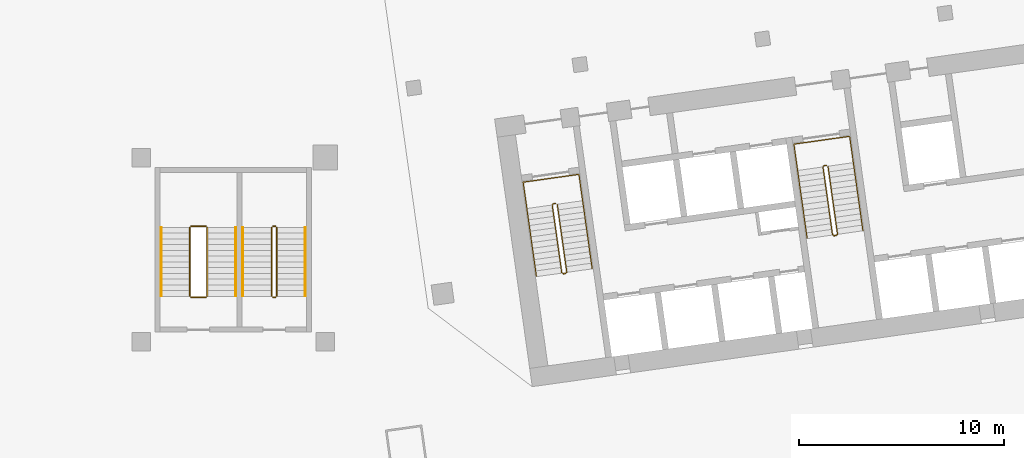
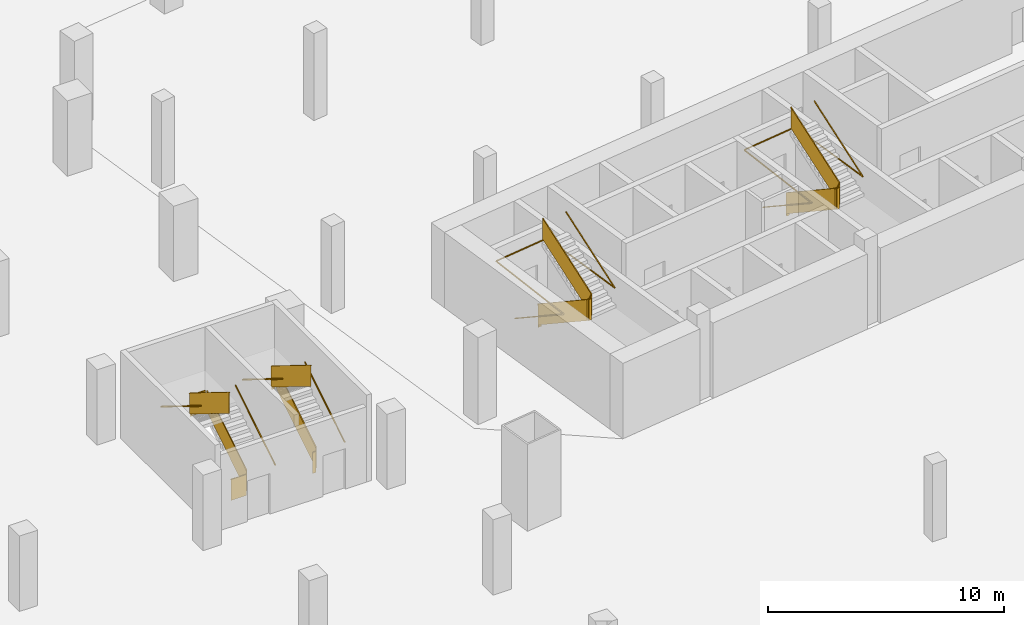
# One storey, part 16 of 17: 16 railings.
"""IFC4 building model written with IfcOpenShell, lengths in metres."""

import ifcopenshell
import ifcopenshell.guid

model = None  # the IFC model being written
_history = None  # IfcOwnerHistory: only IFC2X3 demands one
_inside = {}  # id of a spatial element -> (the spatial element, [elements in it])
_under = {}  # id of a project, library or spatial element -> (it, [spatial elements below it])
_declared = {}  # id of a project -> (the project, [libraries it declares])
_typed = {}  # id of a type object -> (the type object, [elements of that type])
_made_of = {}  # id of a material, layer set ... -> (it, [elements and type objects made of it])


def new_model(schema):
    """Start an empty IFC model of exactly this schema.

    Asked for "IFC4X3", IfcOpenShell would pick the latest addendum, in which some entities
    have other attributes; the version numbers below select the first issue.
    IFC2X3 requires an IfcOwnerHistory on every rooted entity: one is made here for all.
    """
    global model, _history
    if schema == "IFC4X3":
        model = ifcopenshell.file(schema_version=(4, 3, 0, 0))
    else:
        model = ifcopenshell.file(schema=schema)
    _inside.clear()
    _under.clear()
    _declared.clear()
    _typed.clear()
    _made_of.clear()
    _history = None
    if model.schema == "IFC2X3":
        org = make("IfcOrganization", Name="unknown")
        user = make(
            "IfcPersonAndOrganization",
            ThePerson=make("IfcPerson", FamilyName="unknown"),
            TheOrganization=org,
        )
        app = make(
            "IfcApplication",
            ApplicationDeveloper=org,
            Version="unknown",
            ApplicationFullName="unknown",
            ApplicationIdentifier="unknown",
        )
        _history = make(
            "IfcOwnerHistory",
            OwningUser=user,
            OwningApplication=app,
            ChangeAction="ADDED",
            CreationDate=0,
        )
    return model


def make(cls, **values):
    """One entity of the class cls with the attributes given. An attribute that is None is left unset."""
    return model.create_entity(
        cls, **{name: value for name, value in values.items() if value is not None}
    )


def rooted(cls, **values):
    """An entity with a GlobalId (a new one), such as an element, a storey or a relation."""
    return make(cls, GlobalId=ifcopenshell.guid.new(), OwnerHistory=_history, **values)


def si_unit(unit_type, name, prefix=None):
    """IfcSIUnit, for example si_unit("LENGTHUNIT", "METRE", prefix="MILLI")."""
    return make("IfcSIUnit", UnitType=unit_type, Prefix=prefix, Name=name)


def assignment(units):
    """IfcUnitAssignment: the units of a project."""
    return None if units is None else make("IfcUnitAssignment", Units=units)


def point(xyz):
    """IfcCartesianPoint."""
    return None if xyz is None else make("IfcCartesianPoint", Coordinates=xyz)


def direction(xyz):
    """IfcDirection."""
    return None if xyz is None else make("IfcDirection", DirectionRatios=xyz)


def frame(location, z_axis=None, x_axis=None):
    """IfcAxis2Placement3D, a coordinate frame: its origin and axes. An axis left out is left unset."""
    return make(
        "IfcAxis2Placement3D",
        Location=point(location),
        Axis=direction(z_axis),
        RefDirection=direction(x_axis),
    )


def frame_2d(location, x_axis=None):
    """IfcAxis2Placement2D, a coordinate frame in the plane: its origin and x axis."""
    return make(
        "IfcAxis2Placement2D", Location=point(location), RefDirection=direction(x_axis)
    )


def origin():
    """The frame at (0, 0, 0) with its axes left unset."""
    return frame((0.0, 0.0, 0.0))


def origin_2d():
    """The frame at (0, 0) in the plane with its x axis left unset."""
    return frame_2d((0.0, 0.0))


def place(relative_to, where):
    """IfcLocalPlacement: puts the frame where relative to a parent placement (None: the world)."""
    return make(
        "IfcLocalPlacement", PlacementRelTo=relative_to, RelativePlacement=where
    )


def context(
    kind, dimensions, precision=None, world=None, true_north=None, identifier=None
):
    """IfcGeometricRepresentationContext, for example the 3D "Model" context."""
    return make(
        "IfcGeometricRepresentationContext",
        ContextIdentifier=identifier,
        ContextType=kind,
        CoordinateSpaceDimension=dimensions,
        Precision=precision,
        WorldCoordinateSystem=world,
        TrueNorth=true_north,
    )


def subcontext(parent, identifier, kind, view, scale=None):
    """IfcGeometricRepresentationSubContext, for example "Body" below "Model"."""
    return make(
        "IfcGeometricRepresentationSubContext",
        ContextIdentifier=identifier,
        ContextType=kind,
        ParentContext=parent,
        TargetScale=scale,
        TargetView=view,
    )


def project(units=None, contexts=None):
    """IfcProject with its units and contexts."""
    return rooted(
        "IfcProject",
        Name="project",
        RepresentationContexts=contexts,
        UnitsInContext=assignment(units),
    )


def spatial(cls, under=None, at=None, **own):
    """A site, building, storey or space (cls), placed at a placement, below another one or the project."""
    s = rooted(cls, ObjectPlacement=at, **own)
    if under is not None:
        _under.setdefault(under.id(), (under, []))[1].append(s)
    return s


def profile(cls, at=None, kind="AREA", **sizes):
    """A parametric profile (cls). Its sizes go by their IFC names, for example OverallWidth=200.0."""
    return make(cls, ProfileType=kind, Position=at, **sizes)


def rectangle(**sizes):
    """IfcRectangleProfileDef."""
    return profile("IfcRectangleProfileDef", **sizes)


def extrude(swept, where, along, depth):
    """IfcExtrudedAreaSolid: the profile swept, set in the frame where, extruded along a direction by depth."""
    return make(
        "IfcExtrudedAreaSolid",
        SweptArea=swept,
        Position=where,
        ExtrudedDirection=direction(along),
        Depth=depth,
    )


def shape(context_of_items, identifier, shape_type, items):
    """IfcShapeRepresentation: the items that make up one representation, for example the "Body"."""
    return make(
        "IfcShapeRepresentation",
        ContextOfItems=context_of_items,
        RepresentationIdentifier=identifier,
        RepresentationType=shape_type,
        Items=items,
    )


def material(Name=None, Category=None):
    """IfcMaterial."""
    return make("IfcMaterial", Name=Name, Category=Category)


def made_of(thing, what):
    """Note that an element or type object is made of a material, layer set ...; save() writes the relation."""
    if what is not None:
        _made_of.setdefault(what.id(), (what, []))[1].append(thing)
    return thing


def type_object(cls, material=None, **own):
    """A type object (cls), such as IfcWallType, which elements share."""
    return made_of(rooted(cls, **own), material)


def element(
    cls,
    number,
    at=None,
    inside=None,
    cuts=None,
    type_object=None,
    material=None,
    context=None,
    identifier="Body",
    shape_type=None,
    held_by="IfcProductDefinitionShape",
    body=None,
    shapes=None,
    **own,
):
    """One element of the class cls, such as IfcWall. Its Tag is "e" and its number.

    at: its placement. inside: the storey or other place that contains it. cuts: it is an
    opening in that element (IfcRelVoidsElement). A single representation is given by context,
    identifier, shape_type and body (its items); several are given by shapes. held_by: the class
    of the entity that holds the representations. save() writes the other relations.
    """
    e = rooted(cls, Tag="e%d" % number, ObjectPlacement=at, **own)
    if body is not None:
        shapes = [shape(context, identifier, shape_type, body)]
    if shapes is not None:
        e.Representation = make(held_by, Representations=shapes)
    if inside is not None:
        _inside.setdefault(inside.id(), (inside, []))[1].append(e)
    if cuts is not None:
        rooted(
            "IfcRelVoidsElement", RelatingBuildingElement=cuts, RelatedOpeningElement=e
        )
    if type_object is not None:
        _typed.setdefault(type_object.id(), (type_object, []))[1].append(e)
    return made_of(e, material)


def aggregate(whole, parts):
    """IfcRelAggregates: a whole, such as a stair, and the parts it consists of."""
    return rooted("IfcRelAggregates", RelatingObject=whole, RelatedObjects=parts)


def save(model, path):
    """Write the relations noted so far, then the file.

    IfcRelAggregates (storeys below a building ...), IfcRelContainedInSpatialStructure (elements
    in a storey), IfcRelDefinesByType, IfcRelAssociatesMaterial and IfcRelDeclares: one each for
    every whole, place, type object, material and project.
    """
    for whole, parts in _under.values():
        aggregate(whole, parts)
    for where, things in _inside.values():
        rooted(
            "IfcRelContainedInSpatialStructure",
            RelatedElements=things,
            RelatingStructure=where,
        )
    for kind, things in _typed.values():
        rooted("IfcRelDefinesByType", RelatedObjects=things, RelatingType=kind)
    for what, things in _made_of.values():
        rooted("IfcRelAssociatesMaterial", RelatedObjects=things, RelatingMaterial=what)
    for by, libraries in _declared.values():
        rooted("IfcRelDeclares", RelatingContext=by, RelatedDefinitions=libraries)
    model.write(path)


model = new_model("IFC4")

# Units and contexts
model_context = context("Model", 3, precision=1e-05, world=origin(), true_north=direction((0.0, 1.0)))
body_context = subcontext(model_context, "Body", "Model", "MODEL_VIEW")
ifc_project = project(units=[si_unit("LENGTHUNIT", "METRE"), si_unit("AREAUNIT", "SQUARE_METRE"), si_unit("VOLUMEUNIT", "CUBIC_METRE"), si_unit("PLANEANGLEUNIT", "RADIAN"), si_unit("MASSUNIT", "GRAM", prefix="KILO")], contexts=[model_context])

# Site, building, storey
site_placement = place(None, origin())
site = spatial("IfcSite", under=ifc_project, at=site_placement, CompositionType="ELEMENT")
building_placement = place(site_placement, origin())
building = spatial("IfcBuilding", under=site, at=building_placement, Name="Mirante Cascada Hotel Towers", CompositionType="ELEMENT")
storey_placement = place(building_placement, frame((0.0, 0.0, -4.5)))
storey = spatial("IfcBuildingStorey", under=building, at=storey_placement, Name="B1", CompositionType="ELEMENT", Elevation=-4.5)

# Railings
ifc_material_1 = material(Name="Painted steel", Category="steel")
railing_type_1 = type_object("IfcRailingType", Name="Podium stair guard 1100 steel balustrade", PredefinedType="GUARDRAIL", material=ifc_material_1)
railing_1_placement = place(storey_placement, frame((24.625, -15.775, 0.1731)))
element("IfcRailing", 1, at=railing_1_placement, inside=storey, type_object=railing_type_1, Name="B1 PS2 stair guard 1", PredefinedType="GUARDRAIL", context=body_context, shape_type="SweptSolid", body=[
    extrude(rectangle(XDim=0.048, YDim=0.048, at=origin_2d()), frame((0.0, 0.0, 1.076), z_axis=(0.0, 1.0, 0.0), x_axis=(-1.0, 0.0, 0.0)), (0.0, 0.5257871, 0.8506162), 3.9501),
    extrude(rectangle(XDim=0.02, YDim=1.052, at=origin_2d()), frame((0.0, 0.0, 0.526), z_axis=(0.0, 1.0, 0.0), x_axis=(-1.0, 0.0, 0.0)), (0.0, 0.5257871, 0.8506162), 3.9501),
])
railing_2_placement = place(storey_placement, frame((24.575, -12.365, 2.25)))
element("IfcRailing", 2, at=railing_2_placement, inside=storey, type_object=railing_type_1, Name="B1 PS2 stair guard 2", PredefinedType="GUARDRAIL", context=body_context, shape_type="SweptSolid", body=[
    extrude(rectangle(XDim=0.048, YDim=0.048, at=origin_2d()), frame((0.0, 0.0, 1.076), z_axis=(-1.0, 0.0, 0.0), x_axis=(0.0, -1.0, 0.0)), (0.0, 0.0, 1.0), 0.15),
    extrude(rectangle(XDim=0.02, YDim=1.052, at=origin_2d()), frame((0.0, 0.0, 0.526), z_axis=(-1.0, 0.0, 0.0), x_axis=(0.0, -1.0, 0.0)), (0.0, 0.0, 1.0), 0.15),
])
railing_3_placement = place(storey_placement, frame((24.375, -12.415, 2.4231)))
element("IfcRailing", 3, at=railing_3_placement, inside=storey, type_object=railing_type_1, Name="B1 PS2 stair guard 3", PredefinedType="GUARDRAIL", context=body_context, shape_type="SweptSolid", body=[
    extrude(rectangle(XDim=0.048, YDim=0.048, at=origin_2d()), frame((0.0, 0.0, 1.076), z_axis=(0.0, -1.0, 0.0), x_axis=(1.0, 0.0, 0.0)), (0.0, 0.5257871, 0.8506162), 3.9501),
    extrude(rectangle(XDim=0.02, YDim=1.052, at=origin_2d()), frame((0.0, 0.0, 0.526), z_axis=(0.0, -1.0, 0.0), x_axis=(1.0, 0.0, 0.0)), (0.0, 0.5257871, 0.8506162), 3.9501),
])
railing_4_placement = place(storey_placement, frame((24.575, -15.825, 0.0)))
element("IfcRailing", 4, at=railing_4_placement, inside=storey, type_object=railing_type_1, Name="B1 PS2 stair guard 4", PredefinedType="GUARDRAIL", context=body_context, shape_type="SweptSolid", body=[
    extrude(rectangle(XDim=0.048, YDim=0.048, at=origin_2d()), frame((0.0, 0.0, 1.076), z_axis=(-1.0, 0.0, 0.0), x_axis=(0.0, -1.0, 0.0)), (0.0, 0.0, 1.0), 0.15),
    extrude(rectangle(XDim=0.02, YDim=1.052, at=origin_2d()), frame((0.0, 0.0, 0.526), z_axis=(-1.0, 0.0, 0.0), x_axis=(0.0, -1.0, 0.0)), (0.0, 0.0, 1.0), 0.15),
])
railing_5_placement = place(storey_placement, frame((21.225, -15.775, 0.1731)))
element("IfcRailing", 5, at=railing_5_placement, inside=storey, type_object=railing_type_1, Name="B1 PS4 stair guard 1", PredefinedType="GUARDRAIL", context=body_context, shape_type="SweptSolid", body=[
    extrude(rectangle(XDim=0.048, YDim=0.048, at=origin_2d()), frame((0.0, 0.0, 1.076), z_axis=(0.0, 1.0, 0.0), x_axis=(-1.0, 0.0, 0.0)), (0.0, 0.5257871, 0.8506162), 3.9501),
    extrude(rectangle(XDim=0.02, YDim=1.052, at=origin_2d()), frame((0.0, 0.0, 0.526), z_axis=(0.0, 1.0, 0.0), x_axis=(-1.0, 0.0, 0.0)), (0.0, 0.5257871, 0.8506162), 3.9501),
])
railing_6_placement = place(storey_placement, frame((21.175, -12.365, 2.25)))
element("IfcRailing", 6, at=railing_6_placement, inside=storey, type_object=railing_type_1, Name="B1 PS4 stair guard 2", PredefinedType="GUARDRAIL", context=body_context, shape_type="SweptSolid", body=[
    extrude(rectangle(XDim=0.048, YDim=0.048, at=origin_2d()), frame((0.0, 0.0, 1.076), z_axis=(-1.0, 0.0, 0.0), x_axis=(0.0, -1.0, 0.0)), (0.0, 0.0, 1.0), 0.75),
    extrude(rectangle(XDim=0.02, YDim=1.052, at=origin_2d()), frame((0.0, 0.0, 0.526), z_axis=(-1.0, 0.0, 0.0), x_axis=(0.0, -1.0, 0.0)), (0.0, 0.0, 1.0), 0.75),
])
railing_7_placement = place(storey_placement, frame((20.375, -12.415, 2.4231)))
element("IfcRailing", 7, at=railing_7_placement, inside=storey, type_object=railing_type_1, Name="B1 PS4 stair guard 3", PredefinedType="GUARDRAIL", context=body_context, shape_type="SweptSolid", body=[
    extrude(rectangle(XDim=0.048, YDim=0.048, at=origin_2d()), frame((0.0, 0.0, 1.076), z_axis=(0.0, -1.0, 0.0), x_axis=(1.0, 0.0, 0.0)), (0.0, 0.5257871, 0.8506162), 3.9501),
    extrude(rectangle(XDim=0.02, YDim=1.052, at=origin_2d()), frame((0.0, 0.0, 0.526), z_axis=(0.0, -1.0, 0.0), x_axis=(1.0, 0.0, 0.0)), (0.0, 0.5257871, 0.8506162), 3.9501),
])
railing_8_placement = place(storey_placement, frame((21.175, -15.825, 0.0)))
element("IfcRailing", 8, at=railing_8_placement, inside=storey, type_object=railing_type_1, Name="B1 PS4 stair guard 4", PredefinedType="GUARDRAIL", context=body_context, shape_type="SweptSolid", body=[
    extrude(rectangle(XDim=0.048, YDim=0.048, at=origin_2d()), frame((0.0, 0.0, 1.076), z_axis=(-1.0, 0.0, 0.0), x_axis=(0.0, -1.0, 0.0)), (0.0, 0.0, 1.0), 0.75),
    extrude(rectangle(XDim=0.02, YDim=1.052, at=origin_2d()), frame((0.0, 0.0, 0.526), z_axis=(-1.0, 0.0, 0.0), x_axis=(0.0, -1.0, 0.0)), (0.0, 0.0, 1.0), 0.75),
])
ifc_material_2 = material(Name="Painted steel", Category="steel")
railing_type_2 = type_object("IfcRailingType", Name="Podium stair handrail 900 steel tube", PredefinedType="HANDRAIL", material=ifc_material_2)
railing_9_placement = place(storey_placement, frame((26.025, -15.775, 0.1731)))
element("IfcRailing", 9, at=railing_9_placement, inside=storey, type_object=railing_type_2, Name="B1 PS2 stair handrail 1", PredefinedType="HANDRAIL", context=body_context, shape_type="SweptSolid", body=[
    extrude(rectangle(XDim=0.048, YDim=0.048, at=origin_2d()), frame((0.0, 0.0, 0.876), z_axis=(0.0, 1.0, 0.0), x_axis=(-1.0, 0.0, 0.0)), (0.0, 0.5257871, 0.8506162), 3.9501),
])
railing_10_placement = place(storey_placement, frame((22.975, -12.415, 2.4231)))
element("IfcRailing", 10, at=railing_10_placement, inside=storey, type_object=railing_type_2, Name="B1 PS2 stair handrail 2", PredefinedType="HANDRAIL", context=body_context, shape_type="SweptSolid", body=[
    extrude(rectangle(XDim=0.048, YDim=0.048, at=origin_2d()), frame((0.0, 0.0, 0.876), z_axis=(0.0, -1.0, 0.0), x_axis=(1.0, 0.0, 0.0)), (0.0, 0.5257871, 0.8506162), 3.9501),
])
railing_11_placement = place(storey_placement, frame((22.625, -15.775, 0.1731)))
element("IfcRailing", 11, at=railing_11_placement, inside=storey, type_object=railing_type_2, Name="B1 PS4 stair handrail 1", PredefinedType="HANDRAIL", context=body_context, shape_type="SweptSolid", body=[
    extrude(rectangle(XDim=0.048, YDim=0.048, at=origin_2d()), frame((0.0, 0.0, 0.876), z_axis=(0.0, 1.0, 0.0), x_axis=(-1.0, 0.0, 0.0)), (0.0, 0.5257871, 0.8506162), 3.9501),
])
railing_12_placement = place(storey_placement, frame((18.975, -12.415, 2.4231)))
element("IfcRailing", 12, at=railing_12_placement, inside=storey, type_object=railing_type_2, Name="B1 PS4 stair handrail 2", PredefinedType="HANDRAIL", context=body_context, shape_type="SweptSolid", body=[
    extrude(rectangle(XDim=0.048, YDim=0.048, at=origin_2d()), frame((0.0, 0.0, 0.876), z_axis=(0.0, -1.0, 0.0), x_axis=(1.0, 0.0, 0.0)), (0.0, 0.5257871, 0.8506162), 3.9501),
])
ifc_material_3 = material(Name="Painted steel", Category="steel")
railing_type_3 = type_object("IfcRailingType", Name="Stair guard 1100 steel balustrade", PredefinedType="GUARDRAIL", material=ifc_material_3)
railing_13_placement = place(storey_placement, frame((38.2663, -11.2395, 0.0)))
element("IfcRailing", 13, at=railing_13_placement, inside=storey, type_object=railing_type_3, Name="B1 ST2-A stair guard 1", PredefinedType="GUARDRAIL", context=body_context, shape_type="SweptSolid", body=[
    extrude(rectangle(XDim=0.048, YDim=0.048, at=origin_2d()), frame((0.0, 0.0, 1.076), z_axis=(-0.9903326, -0.1387133, 0.0), x_axis=(0.1387133, -0.9903326, 0.0)), (0.0, 0.0, 1.0), 0.1499),
    extrude(rectangle(XDim=0.02, YDim=1.052, at=origin_2d()), frame((0.0, 0.0, 0.526), z_axis=(-0.9903326, -0.1387133, 0.0), x_axis=(0.1387133, -0.9903326, 0.0)), (0.0, 0.0, 1.0), 0.1499),
    extrude(rectangle(XDim=0.048, YDim=0.048, at=origin_2d()), frame((-0.1485, -0.0208, 1.076), z_axis=(-0.6020331, -0.7984711, 0.0), x_axis=(0.7984711, -0.6020331, 0.0)), (0.0, 0.925647, 0.3783882), 0.187),
    extrude(rectangle(XDim=0.02, YDim=1.052, at=origin_2d()), frame((-0.1485, -0.0208, 0.526), z_axis=(-0.6020331, -0.7984711, 0.0), x_axis=(0.7984711, -0.6020331, 0.0)), (0.0, 0.925647, 0.3783882), 0.187),
    extrude(rectangle(XDim=0.048, YDim=0.048, at=origin_2d()), frame((-0.1911, -0.0773, 1.2491), z_axis=(0.139196, -0.9902648, 0.0), x_axis=(0.9902648, 0.139196, 0.0)), (0.0, 0.525786, 0.8506169), 3.9501),
    extrude(rectangle(XDim=0.02, YDim=1.052, at=origin_2d()), frame((-0.1911, -0.0773, 0.6991), z_axis=(0.139196, -0.9902648, 0.0), x_axis=(0.9902648, 0.139196, 0.0)), (0.0, 0.525786, 0.8506169), 3.9501),
    extrude(rectangle(XDim=0.048, YDim=0.048, at=origin_2d()), frame((0.2766, -3.4046, 3.326), z_axis=(0.9944441, -0.1052656, 0.0), x_axis=(0.1052656, 0.9944441, 0.0)), (0.0, 0.0, 1.0), 0.2061),
    extrude(rectangle(XDim=0.02, YDim=1.052, at=origin_2d()), frame((0.2766, -3.4046, 2.776), z_axis=(0.9944441, -0.1052656, 0.0), x_axis=(0.1052656, 0.9944441, 0.0)), (0.0, 0.0, 1.0), 0.2061),
    extrude(rectangle(XDim=0.048, YDim=0.048, at=origin_2d()), frame((0.4816, -3.4263, 3.326), z_axis=(-0.9902537, -0.1392753, 0.0), x_axis=(0.1392753, -0.9902537, 0.0)), (0.0, 0.0, 1.0), 0.1501),
    extrude(rectangle(XDim=0.02, YDim=1.052, at=origin_2d()), frame((0.4816, -3.4263, 2.776), z_axis=(-0.9902537, -0.1392753, 0.0), x_axis=(0.1392753, -0.9902537, 0.0)), (0.0, 0.0, 1.0), 0.1501),
    extrude(rectangle(XDim=0.048, YDim=0.048, at=origin_2d()), frame((0.333, -3.4472, 3.326), z_axis=(0.9268624, 0.3754011, 0.0), x_axis=(-0.3754011, 0.9268624, 0.0)), (0.0, 0.6429944, 0.7658709), 0.2692),
    extrude(rectangle(XDim=0.02, YDim=1.052, at=origin_2d()), frame((0.333, -3.4472, 2.776), z_axis=(0.9268624, 0.3754011, 0.0), x_axis=(-0.3754011, 0.9268624, 0.0)), (0.0, 0.6429944, 0.7658709), 0.2692),
    extrude(rectangle(XDim=0.048, YDim=0.048, at=origin_2d()), frame((0.5241, -3.3698, 3.4991), z_axis=(-0.1391668, 0.990269, 0.0), x_axis=(-0.990269, -0.1391668, 0.0)), (0.0, 0.5257875, 0.8506159), 3.9501),
    extrude(rectangle(XDim=0.02, YDim=1.052, at=origin_2d()), frame((0.5241, -3.3698, 2.9491), z_axis=(-0.1391668, 0.990269, 0.0), x_axis=(-0.990269, -0.1391668, 0.0)), (0.0, 0.5257875, 0.8506159), 3.9501),
])
railing_14_placement = place(storey_placement, frame((51.4864, -9.3815, 0.0)))
element("IfcRailing", 14, at=railing_14_placement, inside=storey, type_object=railing_type_3, Name="B1 ST2-B stair guard 1", PredefinedType="GUARDRAIL", context=body_context, shape_type="SweptSolid", body=[
    extrude(rectangle(XDim=0.048, YDim=0.048, at=origin_2d()), frame((0.0, 0.0, 1.076), z_axis=(-0.9902408, -0.1393672, 0.0), x_axis=(0.1393672, -0.9902408, 0.0)), (0.0, 0.0, 1.0), 0.15),
    extrude(rectangle(XDim=0.02, YDim=1.052, at=origin_2d()), frame((0.0, 0.0, 0.526), z_axis=(-0.9902408, -0.1393672, 0.0), x_axis=(0.1393672, -0.9902408, 0.0)), (0.0, 0.0, 1.0), 0.15),
    extrude(rectangle(XDim=0.048, YDim=0.048, at=origin_2d()), frame((-0.1485, -0.0209, 1.076), z_axis=(-0.6020331, -0.7984711, 0.0), x_axis=(0.7984711, -0.6020331, 0.0)), (0.0, 0.925647, 0.3783882), 0.187),
    extrude(rectangle(XDim=0.02, YDim=1.052, at=origin_2d()), frame((-0.1485, -0.0209, 0.526), z_axis=(-0.6020331, -0.7984711, 0.0), x_axis=(0.7984711, -0.6020331, 0.0)), (0.0, 0.925647, 0.3783882), 0.187),
    extrude(rectangle(XDim=0.048, YDim=0.048, at=origin_2d()), frame((-0.1911, -0.0774, 1.2491), z_axis=(0.1391668, -0.990269, 0.0), x_axis=(0.990269, 0.1391668, 0.0)), (0.0, 0.5257875, 0.8506159), 3.9501),
    extrude(rectangle(XDim=0.02, YDim=1.052, at=origin_2d()), frame((-0.1911, -0.0774, 0.6991), z_axis=(0.1391668, -0.990269, 0.0), x_axis=(0.990269, 0.1391668, 0.0)), (0.0, 0.5257875, 0.8506159), 3.9501),
    extrude(rectangle(XDim=0.048, YDim=0.048, at=origin_2d()), frame((0.2765, -3.4047, 3.326), z_axis=(0.9945001, -0.1047353, 0.0), x_axis=(0.1047353, 0.9945001, 0.0)), (0.0, 0.0, 1.0), 0.2062),
    extrude(rectangle(XDim=0.02, YDim=1.052, at=origin_2d()), frame((0.2765, -3.4047, 2.776), z_axis=(0.9945001, -0.1047353, 0.0), x_axis=(0.1047353, 0.9945001, 0.0)), (0.0, 0.0, 1.0), 0.2062),
    extrude(rectangle(XDim=0.048, YDim=0.048, at=origin_2d()), frame((0.4816, -3.4263, 3.326), z_axis=(-0.9902537, -0.1392753, 0.0), x_axis=(0.1392753, -0.9902537, 0.0)), (0.0, 0.0, 1.0), 0.1501),
    extrude(rectangle(XDim=0.02, YDim=1.052, at=origin_2d()), frame((0.4816, -3.4263, 2.776), z_axis=(-0.9902537, -0.1392753, 0.0), x_axis=(0.1392753, -0.9902537, 0.0)), (0.0, 0.0, 1.0), 0.1501),
    extrude(rectangle(XDim=0.048, YDim=0.048, at=origin_2d()), frame((0.333, -3.4472, 3.326), z_axis=(0.9270311, 0.3749843, 0.0), x_axis=(-0.3749843, 0.9270311, 0.0)), (0.0, 0.6430631, 0.7658132), 0.2692),
    extrude(rectangle(XDim=0.02, YDim=1.052, at=origin_2d()), frame((0.333, -3.4472, 2.776), z_axis=(0.9270311, 0.3749843, 0.0), x_axis=(-0.3749843, 0.9270311, 0.0)), (0.0, 0.6430631, 0.7658132), 0.2692),
    extrude(rectangle(XDim=0.048, YDim=0.048, at=origin_2d()), frame((0.5241, -3.3699, 3.4991), z_axis=(-0.1391668, 0.990269, 0.0), x_axis=(-0.990269, -0.1391668, 0.0)), (0.0, 0.5257875, 0.8506159), 3.9501),
    extrude(rectangle(XDim=0.02, YDim=1.052, at=origin_2d()), frame((0.5241, -3.3699, 2.9491), z_axis=(-0.1391668, 0.990269, 0.0), x_axis=(-0.990269, -0.1391668, 0.0)), (0.0, 0.5257875, 0.8506159), 3.9501),
])
ifc_material_4 = material(Name="Painted steel", Category="steel")
railing_type_4 = type_object("IfcRailingType", Name="Stair handrail 900 steel tube", PredefinedType="HANDRAIL", material=ifc_material_4)
railing_15_placement = place(storey_placement, frame((36.8374, -11.4908, 0.1731)))
element("IfcRailing", 15, at=railing_15_placement, inside=storey, type_object=railing_type_4, Name="B1 ST2-A stair handrail 1", PredefinedType="HANDRAIL", context=body_context, shape_type="SweptSolid", body=[
    extrude(rectangle(XDim=0.048, YDim=0.048, at=origin_2d()), frame((0.0, 0.0, 0.876), z_axis=(0.1391668, -0.990269, 0.0), x_axis=(0.990269, 0.1391668, 0.0)), (0.0, 0.5257875, 0.8506159), 3.9501),
    extrude(rectangle(XDim=0.048, YDim=0.048, at=origin_2d()), frame((0.4676, -3.3273, 2.9529), z_axis=(-0.1391618, 0.9902697, 0.0), x_axis=(-0.9902697, -0.1391618, 0.0)), (0.0, 0.03712, 0.9993108), 4.6633),
    extrude(rectangle(XDim=0.048, YDim=0.048, at=origin_2d()), frame((-0.1809, 1.2874, 3.126), z_axis=(0.9902691, 0.1391657, 0.0), x_axis=(-0.1391657, 0.9902691, 0.0)), (0.0, 0.0, 1.0), 2.75),
    extrude(rectangle(XDim=0.048, YDim=0.048, at=origin_2d()), frame((2.5423, 1.6701, 3.126), z_axis=(0.1391828, -0.9902667, 0.0), x_axis=(0.9902667, 0.1391828, 0.0)), (0.0, 0.0, 1.0), 4.6601),
    extrude(rectangle(XDim=0.048, YDim=0.048, at=origin_2d()), frame((3.1909, -2.9446, 3.126), z_axis=(-0.139196, 0.9902648, 0.0), x_axis=(-0.9902648, -0.139196, 0.0)), (0.0, 0.525786, 0.8506169), 3.9501),
])
railing_16_placement = place(storey_placement, frame((50.0575, -9.6328, 0.1731)))
element("IfcRailing", 16, at=railing_16_placement, inside=storey, type_object=railing_type_4, Name="B1 ST2-B stair handrail 1", PredefinedType="HANDRAIL", context=body_context, shape_type="SweptSolid", body=[
    extrude(rectangle(XDim=0.048, YDim=0.048, at=origin_2d()), frame((0.0, 0.0, 0.876), z_axis=(0.1391668, -0.990269, 0.0), x_axis=(0.990269, 0.1391668, 0.0)), (0.0, 0.5257875, 0.8506159), 3.9501),
    extrude(rectangle(XDim=0.048, YDim=0.048, at=origin_2d()), frame((0.4676, -3.3273, 2.9529), z_axis=(-0.1391647, 0.9902692, 0.0), x_axis=(-0.9902692, -0.1391647, 0.0)), (0.0, 0.0371208, 0.9993108), 4.6632),
    extrude(rectangle(XDim=0.048, YDim=0.048, at=origin_2d()), frame((-0.1809, 1.2873, 3.126), z_axis=(0.9902641, 0.1392013, 0.0), x_axis=(-0.1392013, 0.9902641, 0.0)), (0.0, 0.0, 1.0), 2.75),
    extrude(rectangle(XDim=0.048, YDim=0.048, at=origin_2d()), frame((2.5423, 1.6701, 3.126), z_axis=(0.1391618, -0.9902697, 0.0), x_axis=(0.9902697, 0.1391618, 0.0)), (0.0, 0.0, 1.0), 4.66),
    extrude(rectangle(XDim=0.048, YDim=0.048, at=origin_2d()), frame((3.1908, -2.9446, 3.126), z_axis=(-0.1391668, 0.990269, 0.0), x_axis=(-0.990269, -0.1391668, 0.0)), (0.0, 0.5257875, 0.8506159), 3.9501),
])

save(model, "model.ifc")
